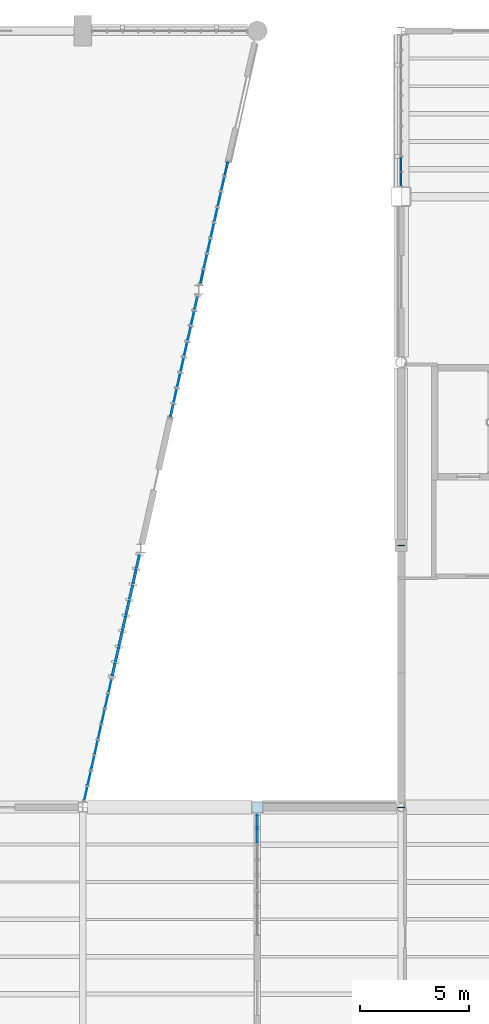
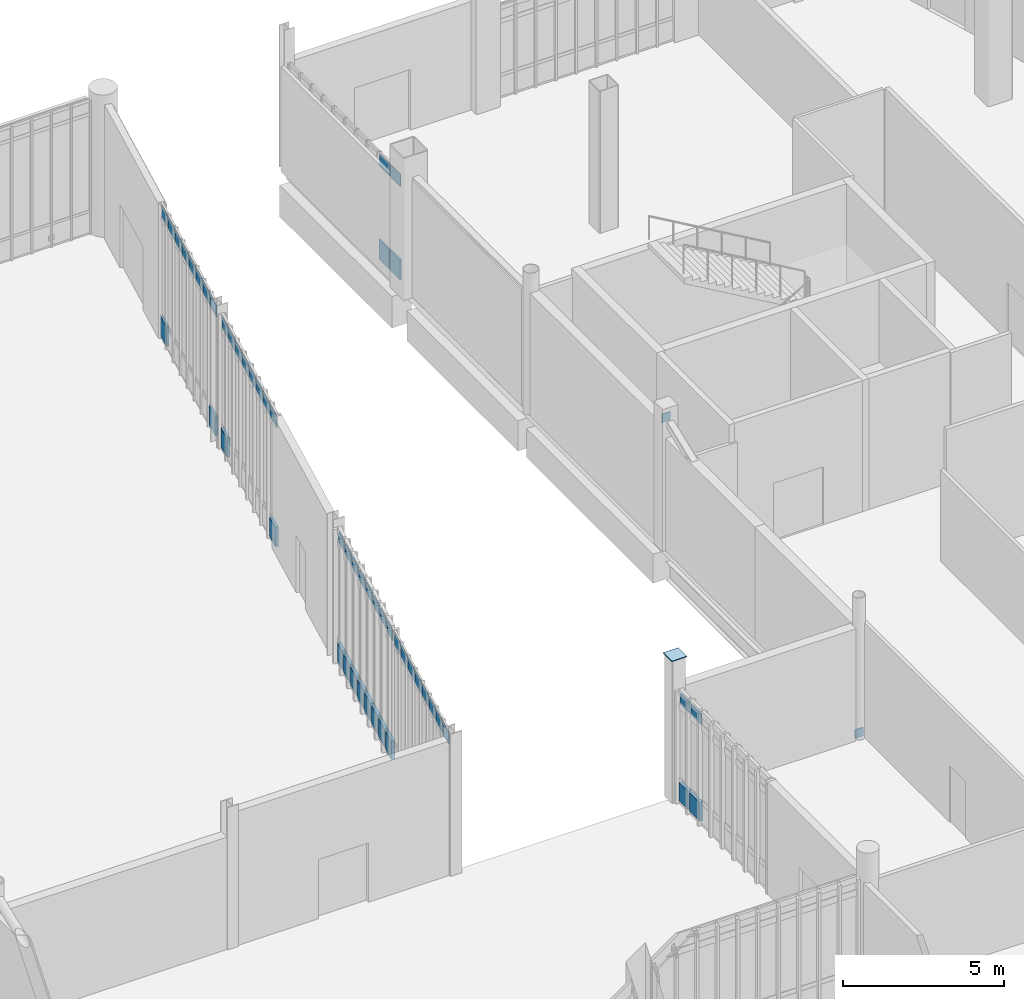
# One storey, part 80 of 111: 55 plates, 6 elements without a shape of their own.
"""IFC4 building model written with IfcOpenShell, lengths in metres."""

from ifc_helpers import new_model, si_unit, direction, frame, origin, origin_2d, place, context, subcontext, project, spatial, rectangle, extrude, material, layer, layer_set, type_object, element, aggregate, save


model = new_model("IFC4")

# Units and contexts
model_context = context("Model", 3, precision=1e-05, world=origin(), true_north=direction((0.0, 1.0)))
body_context = subcontext(model_context, "Body", "Model", "MODEL_VIEW")
ifc_project = project(units=[si_unit("LENGTHUNIT", "METRE"), si_unit("AREAUNIT", "SQUARE_METRE"), si_unit("VOLUMEUNIT", "CUBIC_METRE"), si_unit("PLANEANGLEUNIT", "RADIAN"), si_unit("MASSUNIT", "GRAM", prefix="KILO")], contexts=[model_context])

# Site, building, storey
site_placement = place(None, origin())
site = spatial("IfcSite", under=ifc_project, at=site_placement, CompositionType="ELEMENT")
building_placement = place(site_placement, origin())
building = spatial("IfcBuilding", under=site, at=building_placement, Name="Larkvane Passage Sports Hall", CompositionType="ELEMENT")
storey_placement = place(building_placement, origin())
storey = spatial("IfcBuildingStorey", under=building, at=storey_placement, Name="L00", CompositionType="ELEMENT", Elevation=0.0)

# Curtain wall, plates
ifc_material_1 = material(Name="Thermally broken aluminium and low-E glazing", Category="aluminium")
curtain_wall_type_1 = type_object("IfcCurtainWallType", Name="CW-STICK-FOYER", PredefinedType="USERDEFINED", material=ifc_material_1)
curtain_wall_1_placement = place(storey_placement, origin())
curtain_wall_1 = element("IfcCurtainWall", 1, at=curtain_wall_1_placement, inside=storey, type_object=curtain_wall_type_1, Name="Curtain wall CW5-L00-014", ObjectType="STICK CURTAIN WALL", PredefinedType="USERDEFINED")
ifc_material_2 = material(Name="Fire-stopped shadow-box spandrel panel")
ifc_layer_1 = layer(ifc_material_2, 0.10498046875)
ifc_layer_set_1 = layer_set([ifc_layer_1], Name="Fire-stopped shadow-box spandrel panel")
plate_type_1 = type_object("IfcPlateType", Name="CWP-SPD-105", PredefinedType="CURTAIN_PANEL", material=ifc_layer_set_1)
plate_1_placement = place(storey_placement, frame((115.196533203125, 86.724365234375, 0.080078125), z_axis=(0.0, 0.0, 1.0), x_axis=(-0.219244189156, -0.975670018767, 0.0)))
plate_1 = element("IfcPlate", 2, at=plate_1_placement, type_object=plate_type_1, Name="CW-03 panel 1.1", PredefinedType="CURTAIN_PANEL", context=body_context, shape_type="SweptSolid", body=[
    extrude(rectangle(XDim=0.6103515625, YDim=0.10498046875, at=origin_2d()), origin(), (0.0, 0.0, 1.0), 0.72998046875),
])
plate_2_placement = place(storey_placement, frame((114.08447265625, 81.77587890625, 0.080078125), z_axis=(0.0, 0.0, 1.0), x_axis=(-0.219244189156, -0.975670018767, 0.0)))
plate_2 = element("IfcPlate", 3, at=plate_2_placement, type_object=plate_type_1, Name="CW-03 panel 8.1", PredefinedType="CURTAIN_PANEL", context=body_context, shape_type="SweptSolid", body=[
    extrude(rectangle(XDim=0.6103515625, YDim=0.10498046875, at=origin_2d()), origin(), (0.0, 0.0, 1.0), 0.72998046875),
])

curtain_wall_type_2 = type_object("IfcCurtainWallType", Name="CW-CLINIC", PredefinedType="USERDEFINED", material=ifc_material_1)
curtain_wall_2_placement = place(storey_placement, origin())
curtain_wall_2 = element("IfcCurtainWall", 4, at=curtain_wall_2_placement, inside=storey, type_object=curtain_wall_type_2, Name="Curtain wall CW5-L00-015", ObjectType="UNITISED CURTAIN WALL", PredefinedType="USERDEFINED")
ifc_material_3 = material(Name="Deep insulated facade spandrel panel")
ifc_layer_2 = layer(ifc_material_3, 0.125)
ifc_layer_set_2 = layer_set([ifc_layer_2], Name="Deep insulated facade spandrel panel")
plate_type_2 = type_object("IfcPlateType", Name="CWP-SPD-125", PredefinedType="CURTAIN_PANEL", material=ifc_layer_set_2)
plate_3_placement = place(storey_placement, frame((112.52978515625, 74.85791015625, 0.10986328125), z_axis=(0.0, 0.0, 1.0), x_axis=(-0.219243647747, -0.975670140428, 0.0)))
plate_3 = element("IfcPlate", 5, at=plate_3_placement, type_object=plate_type_2, Name="CW-05 panel 1.1", PredefinedType="CURTAIN_PANEL", context=body_context, shape_type="SweptSolid", body=[
    extrude(rectangle(XDim=0.56591796875, YDim=0.125, at=origin_2d()), origin(), (0.0, 0.0, 1.0), 0.68505859375),
])
plate_4_placement = place(storey_placement, frame((112.37548828125, 74.17138671875, 0.10986328125), z_axis=(0.0, 0.0, 1.0), x_axis=(-0.219243647747, -0.975670140428, 0.0)))
plate_4 = element("IfcPlate", 6, at=plate_4_placement, type_object=plate_type_2, Name="CW-05 panel 2.1", PredefinedType="CURTAIN_PANEL", context=body_context, shape_type="SweptSolid", body=[
    extrude(rectangle(XDim=0.62109375, YDim=0.125, at=origin_2d()), origin(), (0.0, 0.0, 1.0), 0.68505859375),
])
plate_5_placement = place(storey_placement, frame((112.21533203125, 73.458251953125, 0.10986328125), z_axis=(0.0, 0.0, 1.0), x_axis=(-0.219243647747, -0.975670140428, 0.0)))
plate_5 = element("IfcPlate", 7, at=plate_5_placement, type_object=plate_type_2, Name="CW-05 panel 3.1", PredefinedType="CURTAIN_PANEL", context=body_context, shape_type="SweptSolid", body=[
    extrude(rectangle(XDim=0.62109375, YDim=0.125, at=origin_2d()), origin(), (0.0, 0.0, 1.0), 0.68505859375),
])
plate_6_placement = place(storey_placement, frame((112.054931640625, 72.744873046875, 0.10986328125), z_axis=(0.0, 0.0, 1.0), x_axis=(-0.219243647747, -0.975670140428, 0.0)))
plate_6 = element("IfcPlate", 8, at=plate_6_placement, type_object=plate_type_2, Name="CW-05 panel 4.1", PredefinedType="CURTAIN_PANEL", context=body_context, shape_type="SweptSolid", body=[
    extrude(rectangle(XDim=0.62109375, YDim=0.125, at=origin_2d()), origin(), (0.0, 0.0, 1.0), 0.68505859375),
])
plate_7_placement = place(storey_placement, frame((111.894775390625, 72.03173828125, 0.10986328125), z_axis=(0.0, 0.0, 1.0), x_axis=(-0.219243647747, -0.975670140428, 0.0)))
plate_7 = element("IfcPlate", 9, at=plate_7_placement, type_object=plate_type_2, Name="CW-05 panel 5.1", PredefinedType="CURTAIN_PANEL", context=body_context, shape_type="SweptSolid", body=[
    extrude(rectangle(XDim=0.62109375, YDim=0.125, at=origin_2d()), origin(), (0.0, 0.0, 1.0), 0.68505859375),
])
plate_8_placement = place(storey_placement, frame((111.734375, 71.318359375, 0.10986328125), z_axis=(0.0, 0.0, 1.0), x_axis=(-0.219243647747, -0.975670140428, 0.0)))
plate_8 = element("IfcPlate", 10, at=plate_8_placement, type_object=plate_type_2, Name="CW-05 panel 6.1", PredefinedType="CURTAIN_PANEL", context=body_context, shape_type="SweptSolid", body=[
    extrude(rectangle(XDim=0.62109375, YDim=0.125, at=origin_2d()), origin(), (0.0, 0.0, 1.0), 0.68505859375),
])
plate_9_placement = place(storey_placement, frame((111.57421875, 70.605224609375, 0.10986328125), z_axis=(0.0, 0.0, 1.0), x_axis=(-0.219243647747, -0.975670140428, 0.0)))
plate_9 = element("IfcPlate", 11, at=plate_9_placement, type_object=plate_type_2, Name="CW-05 panel 7.1", PredefinedType="CURTAIN_PANEL", context=body_context, shape_type="SweptSolid", body=[
    extrude(rectangle(XDim=0.62109375, YDim=0.125, at=origin_2d()), origin(), (0.0, 0.0, 1.0), 0.68505859375),
])
plate_10_placement = place(storey_placement, frame((111.419921875, 69.918701171875, 0.10986328125), z_axis=(0.0, 0.0, 1.0), x_axis=(-0.219243647747, -0.975670140428, 0.0)))
plate_10 = element("IfcPlate", 12, at=plate_10_placement, type_object=plate_type_2, Name="CW-05 panel 8.1", PredefinedType="CURTAIN_PANEL", context=body_context, shape_type="SweptSolid", body=[
    extrude(rectangle(XDim=0.56591796875, YDim=0.125, at=origin_2d()), origin(), (0.0, 0.0, 1.0), 0.68505859375),
])

curtain_wall_3_placement = place(storey_placement, origin())
curtain_wall_3 = element("IfcCurtainWall", 13, at=curtain_wall_3_placement, inside=storey, type_object=curtain_wall_type_2, Name="Curtain wall CW5-L00-019", ObjectType="UNITISED CURTAIN WALL", PredefinedType="USERDEFINED")
plate_11_placement = place(storey_placement, frame((118.0, 62.275146484375, 0.10009765625), z_axis=(0.0, 0.0, 1.0), x_axis=(0.0, 1.0, 0.0)))
plate_11 = element("IfcPlate", 14, at=plate_11_placement, type_object=plate_type_2, Name="CW-05 panel 7.1", PredefinedType="CURTAIN_PANEL", context=body_context, shape_type="SweptSolid", body=[
    extrude(rectangle(XDim=0.619140625, YDim=0.125, at=origin_2d()), origin(), (0.0, 0.0, 1.0), 0.699951171875),
])
plate_12_placement = place(storey_placement, frame((118.0, 62.969482421875, 0.10009765625), z_axis=(0.0, 0.0, 1.0), x_axis=(0.0, 1.0, 0.0)))
plate_12 = element("IfcPlate", 15, at=plate_12_placement, type_object=plate_type_2, Name="CW-05 panel 8.1", PredefinedType="CURTAIN_PANEL", context=body_context, shape_type="SweptSolid", body=[
    extrude(rectangle(XDim=0.5693359375, YDim=0.125, at=origin_2d()), origin(), (0.0, 0.0, 1.0), 0.699951171875),
])

curtain_wall_type_3 = type_object("IfcCurtainWallType", Name="CW-UNIT-COURT", PredefinedType="USERDEFINED", material=ifc_material_1)
curtain_wall_4_placement = place(storey_placement, origin())
curtain_wall_4 = element("IfcCurtainWall", 16, at=curtain_wall_4_placement, inside=storey, type_object=curtain_wall_type_3, Name="Curtain wall CW5-L00-020", ObjectType="UNITISED CURTAIN WALL", PredefinedType="USERDEFINED")
ifc_material_4 = material(Name="Insulated aluminium spandrel panel", Category="aluminium")
ifc_layer_3 = layer(ifc_material_4, 0.06494140625)
ifc_layer_set_3 = layer_set([ifc_layer_3], Name="Insulated aluminium spandrel panel")
plate_type_3 = type_object("IfcPlateType", Name="CWP-SPD-65", PredefinedType="CURTAIN_PANEL", material=ifc_layer_set_3)
plate_13_placement = place(storey_placement, frame((124.60009765625, 92.41015625, 0.06005859375), z_axis=(0.0, 0.0, 1.0), x_axis=(0.0, 1.0, 0.0)))
plate_13 = element("IfcPlate", 17, at=plate_13_placement, type_object=plate_type_3, Name="CW-01 panel 1.1", PredefinedType="CURTAIN_PANEL", context=body_context, shape_type="SweptSolid", body=[
    extrude(rectangle(XDim=0.6083984375, YDim=0.06494140625, at=origin_2d()), origin(), (0.0, 0.0, 1.0), 0.760009765625),
])
plate_14_placement = place(storey_placement, frame((124.60009765625, 93.093505859375, 0.06005859375), z_axis=(0.0, 0.0, 1.0), x_axis=(0.0, 1.0, 0.0)))
plate_14 = element("IfcPlate", 18, at=plate_14_placement, type_object=plate_type_3, Name="CW-01 panel 2.1", PredefinedType="CURTAIN_PANEL", context=body_context, shape_type="SweptSolid", body=[
    extrude(rectangle(XDim=0.63818359375, YDim=0.06494140625, at=origin_2d()), origin(), (0.0, 0.0, 1.0), 0.760009765625),
])

curtain_wall_type_4 = type_object("IfcCurtainWallType", Name="CW-UNIT-VEIL", PredefinedType="USERDEFINED", material=ifc_material_1)
curtain_wall_5_placement = place(storey_placement, origin())
curtain_wall_5 = element("IfcCurtainWall", 19, at=curtain_wall_5_placement, inside=storey, type_object=curtain_wall_type_4, Name="Curtain wall CW5-L00-013", ObjectType="UNITISED CURTAIN WALL", PredefinedType="USERDEFINED")
ifc_material_5 = material(Name="Mineral-wool insulated spandrel cassette")
ifc_layer_4 = layer(ifc_material_5, 0.0849609375)
ifc_layer_set_4 = layer_set([ifc_layer_4], Name="Mineral-wool insulated spandrel cassette")
plate_type_4 = type_object("IfcPlateType", Name="CWP-SPD-85", PredefinedType="CURTAIN_PANEL", material=ifc_layer_set_4)
plate_15_placement = place(storey_placement, frame((116.582275390625, 92.89111328125, 0.06982421875), z_axis=(0.0, 0.0, 1.0), x_axis=(-0.219243647747, -0.975670140428, 0.0)))
plate_15 = element("IfcPlate", 20, at=plate_15_placement, type_object=plate_type_4, Name="CW-02 panel 1.1", PredefinedType="CURTAIN_PANEL", context=body_context, shape_type="SweptSolid", body=[
    extrude(rectangle(XDim=0.6259765625, YDim=0.0849609375, at=origin_2d()), origin(), (0.0, 0.0, 1.0), 0.7451171875),
])
plate_16_placement = place(storey_placement, frame((115.468017578125, 87.932373046875, 0.06982421875), z_axis=(0.0, 0.0, 1.0), x_axis=(-0.219243647747, -0.975670140428, 0.0)))
plate_16 = element("IfcPlate", 21, at=plate_16_placement, type_object=plate_type_4, Name="CW-02 panel 8.1", PredefinedType="CURTAIN_PANEL", context=body_context, shape_type="SweptSolid", body=[
    extrude(rectangle(XDim=0.6259765625, YDim=0.0849609375, at=origin_2d()), origin(), (0.0, 0.0, 1.0), 0.7451171875),
])

curtain_wall_6_placement = place(storey_placement, origin())
curtain_wall_6 = element("IfcCurtainWall", 22, at=curtain_wall_6_placement, inside=storey, type_object=curtain_wall_type_3, Name="Curtain wall CW5-L00-016", ObjectType="UNITISED CURTAIN WALL", PredefinedType="USERDEFINED")
ifc_material_6 = material(Name="Solar-control low-E double glazing", Category="glass")
ifc_layer_5 = layer(ifc_material_6, 0.028076171875)
ifc_layer_set_5 = layer_set([ifc_layer_5], Name="Solar-control low-E double glazing")
plate_type_5 = type_object("IfcPlateType", Name="CWP-VIS-28", PredefinedType="CURTAIN_PANEL", material=ifc_layer_set_5)
plate_17_placement = place(storey_placement, frame((111.25048828125, 69.16455078125, 4.58251953125), z_axis=(0.0, 0.0, 1.0), x_axis=(-0.219261072284, -0.975666224782, 0.0)))
plate_17 = element("IfcPlate", 23, at=plate_17_placement, type_object=plate_type_5, Name="CW-01 panel 1.3", PredefinedType="CURTAIN_PANEL", context=body_context, shape_type="SweptSolid", body=[
    extrude(rectangle(XDim=0.6298828125, YDim=0.028076171875, at=origin_2d()), origin(), (0.0, 0.0, 1.0), 0.452392578125),
])
plate_18_placement = place(storey_placement, frame((111.0947265625, 68.470947265625, 4.58251953125), z_axis=(0.0, 0.0, 1.0), x_axis=(-0.219261072284, -0.975666224782, 0.0)))
plate_18 = element("IfcPlate", 24, at=plate_18_placement, type_object=plate_type_5, Name="CW-01 panel 2.3", PredefinedType="CURTAIN_PANEL", context=body_context, shape_type="SweptSolid", body=[
    extrude(rectangle(XDim=0.662353515625, YDim=0.028076171875, at=origin_2d()), origin(), (0.0, 0.0, 1.0), 0.452392578125),
])
plate_19_placement = place(storey_placement, frame((110.93505859375, 67.761474609375, 4.58251953125), z_axis=(0.0, 0.0, 1.0), x_axis=(-0.219261072284, -0.975666224782, 0.0)))
plate_19 = element("IfcPlate", 25, at=plate_19_placement, type_object=plate_type_5, Name="CW-01 panel 3.3", PredefinedType="CURTAIN_PANEL", context=body_context, shape_type="SweptSolid", body=[
    extrude(rectangle(XDim=0.662353515625, YDim=0.028076171875, at=origin_2d()), origin(), (0.0, 0.0, 1.0), 0.452392578125),
])
plate_20_placement = place(storey_placement, frame((110.775634765625, 67.0517578125, 4.58251953125), z_axis=(0.0, 0.0, 1.0), x_axis=(-0.219261072284, -0.975666224782, 0.0)))
plate_20 = element("IfcPlate", 26, at=plate_20_placement, type_object=plate_type_5, Name="CW-01 panel 4.3", PredefinedType="CURTAIN_PANEL", context=body_context, shape_type="SweptSolid", body=[
    extrude(rectangle(XDim=0.662353515625, YDim=0.028076171875, at=origin_2d()), origin(), (0.0, 0.0, 1.0), 0.452392578125),
])
plate_21_placement = place(storey_placement, frame((110.6162109375, 66.34228515625, 4.58251953125), z_axis=(0.0, 0.0, 1.0), x_axis=(-0.219261072284, -0.975666224782, 0.0)))
plate_21 = element("IfcPlate", 27, at=plate_21_placement, type_object=plate_type_5, Name="CW-01 panel 5.3", PredefinedType="CURTAIN_PANEL", context=body_context, shape_type="SweptSolid", body=[
    extrude(rectangle(XDim=0.662353515625, YDim=0.028076171875, at=origin_2d()), origin(), (0.0, 0.0, 1.0), 0.452392578125),
])
plate_22_placement = place(storey_placement, frame((110.456787109375, 65.632568359375, 4.58251953125), z_axis=(0.0, 0.0, 1.0), x_axis=(-0.219261072284, -0.975666224782, 0.0)))
plate_22 = element("IfcPlate", 28, at=plate_22_placement, type_object=plate_type_5, Name="CW-01 panel 6.3", PredefinedType="CURTAIN_PANEL", context=body_context, shape_type="SweptSolid", body=[
    extrude(rectangle(XDim=0.662353515625, YDim=0.028076171875, at=origin_2d()), origin(), (0.0, 0.0, 1.0), 0.452392578125),
])
plate_23_placement = place(storey_placement, frame((110.29736328125, 64.923095703125, 4.58251953125), z_axis=(0.0, 0.0, 1.0), x_axis=(-0.219261072284, -0.975666224782, 0.0)))
plate_23 = element("IfcPlate", 29, at=plate_23_placement, type_object=plate_type_5, Name="CW-01 panel 7.3", PredefinedType="CURTAIN_PANEL", context=body_context, shape_type="SweptSolid", body=[
    extrude(rectangle(XDim=0.662353515625, YDim=0.028076171875, at=origin_2d()), origin(), (0.0, 0.0, 1.0), 0.452392578125),
])
plate_24_placement = place(storey_placement, frame((110.141357421875, 64.229248046875, 4.58251953125), z_axis=(0.0, 0.0, 1.0), x_axis=(-0.219261072284, -0.975666224782, 0.0)))
plate_24 = element("IfcPlate", 30, at=plate_24_placement, type_object=plate_type_5, Name="CW-01 panel 8.3", PredefinedType="CURTAIN_PANEL", context=body_context, shape_type="SweptSolid", body=[
    extrude(rectangle(XDim=0.6298828125, YDim=0.028076171875, at=origin_2d()), origin(), (0.0, 0.0, 1.0), 0.452392578125),
])
aggregate(curtain_wall_6, [plate_17, plate_18, plate_19, plate_20, plate_21, plate_22, plate_23, plate_24])

# Plate
plate_25_placement = place(storey_placement, frame((124.60009765625, 92.41015625, 3.597900390625), z_axis=(0.0, 0.0, 1.0), x_axis=(0.0, 1.0, 0.0)))
plate_25 = element("IfcPlate", 31, at=plate_25_placement, type_object=plate_type_5, Name="CW-01 panel 1.3", PredefinedType="CURTAIN_PANEL", context=body_context, shape_type="SweptSolid", body=[
    extrude(rectangle(XDim=0.6083984375, YDim=0.028076171875, at=origin_2d()), origin(), (0.0, 0.0, 1.0), 0.4599609375),
])

plate_26_placement = place(storey_placement, frame((124.60009765625, 93.093505859375, 3.597900390625), z_axis=(0.0, 0.0, 1.0), x_axis=(0.0, 1.0, 0.0)))
plate_26 = element("IfcPlate", 32, at=plate_26_placement, type_object=plate_type_5, Name="CW-01 panel 2.3", PredefinedType="CURTAIN_PANEL", context=body_context, shape_type="SweptSolid", body=[
    extrude(rectangle(XDim=0.63818359375, YDim=0.028076171875, at=origin_2d()), origin(), (0.0, 0.0, 1.0), 0.4599609375),
])

aggregate(curtain_wall_4, [plate_13, plate_25, plate_14, plate_26])

ifc_material_7 = material(Name="Laminated acoustic low-E glazing", Category="glass")
ifc_layer_6 = layer(ifc_material_7, 0.031982421875)
ifc_layer_set_6 = layer_set([ifc_layer_6], Name="Laminated acoustic low-E glazing")
plate_type_6 = type_object("IfcPlateType", Name="CWP-VIS-32", PredefinedType="CURTAIN_PANEL", material=ifc_layer_set_6)
plate_27_placement = place(storey_placement, frame((116.582275390625, 92.89111328125, 4.5849609375), z_axis=(0.0, 0.0, 1.0), x_axis=(-0.219243647747, -0.975670140428, 0.0)))
plate_27 = element("IfcPlate", 33, at=plate_27_placement, type_object=plate_type_6, Name="CW-02 panel 1.3", PredefinedType="CURTAIN_PANEL", context=body_context, shape_type="SweptSolid", body=[
    extrude(rectangle(XDim=0.6259765625, YDim=0.031982421875, at=origin_2d()), origin(), (0.0, 0.0, 1.0), 0.445068359375),
])

plate_28_placement = place(storey_placement, frame((116.42578125, 92.19482421875, 4.5849609375), z_axis=(0.0, 0.0, 1.0), x_axis=(-0.219243647747, -0.975670140428, 0.0)))
plate_28 = element("IfcPlate", 34, at=plate_28_placement, type_object=plate_type_6, Name="CW-02 panel 2.3", PredefinedType="CURTAIN_PANEL", context=body_context, shape_type="SweptSolid", body=[
    extrude(rectangle(XDim=0.6611328125, YDim=0.031982421875, at=origin_2d()), origin(), (0.0, 0.0, 1.0), 0.445068359375),
])

plate_29_placement = place(storey_placement, frame((116.265625, 91.481689453125, 4.5849609375), z_axis=(0.0, 0.0, 1.0), x_axis=(-0.219243647747, -0.975670140428, 0.0)))
plate_29 = element("IfcPlate", 35, at=plate_29_placement, type_object=plate_type_6, Name="CW-02 panel 3.3", PredefinedType="CURTAIN_PANEL", context=body_context, shape_type="SweptSolid", body=[
    extrude(rectangle(XDim=0.6611328125, YDim=0.031982421875, at=origin_2d()), origin(), (0.0, 0.0, 1.0), 0.445068359375),
])

plate_30_placement = place(storey_placement, frame((116.105224609375, 90.768310546875, 4.5849609375), z_axis=(0.0, 0.0, 1.0), x_axis=(-0.219243647747, -0.975670140428, 0.0)))
plate_30 = element("IfcPlate", 36, at=plate_30_placement, type_object=plate_type_6, Name="CW-02 panel 4.3", PredefinedType="CURTAIN_PANEL", context=body_context, shape_type="SweptSolid", body=[
    extrude(rectangle(XDim=0.6611328125, YDim=0.031982421875, at=origin_2d()), origin(), (0.0, 0.0, 1.0), 0.445068359375),
])

plate_31_placement = place(storey_placement, frame((115.945068359375, 90.05517578125, 4.5849609375), z_axis=(0.0, 0.0, 1.0), x_axis=(-0.219243647747, -0.975670140428, 0.0)))
plate_31 = element("IfcPlate", 37, at=plate_31_placement, type_object=plate_type_6, Name="CW-02 panel 5.3", PredefinedType="CURTAIN_PANEL", context=body_context, shape_type="SweptSolid", body=[
    extrude(rectangle(XDim=0.6611328125, YDim=0.031982421875, at=origin_2d()), origin(), (0.0, 0.0, 1.0), 0.445068359375),
])

plate_32_placement = place(storey_placement, frame((115.78466796875, 89.341796875, 4.5849609375), z_axis=(0.0, 0.0, 1.0), x_axis=(-0.219243647747, -0.975670140428, 0.0)))
plate_32 = element("IfcPlate", 38, at=plate_32_placement, type_object=plate_type_6, Name="CW-02 panel 6.3", PredefinedType="CURTAIN_PANEL", context=body_context, shape_type="SweptSolid", body=[
    extrude(rectangle(XDim=0.6611328125, YDim=0.031982421875, at=origin_2d()), origin(), (0.0, 0.0, 1.0), 0.445068359375),
])

plate_33_placement = place(storey_placement, frame((115.62451171875, 88.628662109375, 4.5849609375), z_axis=(0.0, 0.0, 1.0), x_axis=(-0.219243647747, -0.975670140428, 0.0)))
plate_33 = element("IfcPlate", 39, at=plate_33_placement, type_object=plate_type_6, Name="CW-02 panel 7.3", PredefinedType="CURTAIN_PANEL", context=body_context, shape_type="SweptSolid", body=[
    extrude(rectangle(XDim=0.6611328125, YDim=0.031982421875, at=origin_2d()), origin(), (0.0, 0.0, 1.0), 0.445068359375),
])

plate_34_placement = place(storey_placement, frame((115.468017578125, 87.932373046875, 4.5849609375), z_axis=(0.0, 0.0, 1.0), x_axis=(-0.219243647747, -0.975670140428, 0.0)))
plate_34 = element("IfcPlate", 40, at=plate_34_placement, type_object=plate_type_6, Name="CW-02 panel 8.3", PredefinedType="CURTAIN_PANEL", context=body_context, shape_type="SweptSolid", body=[
    extrude(rectangle(XDim=0.6259765625, YDim=0.031982421875, at=origin_2d()), origin(), (0.0, 0.0, 1.0), 0.445068359375),
])

aggregate(curtain_wall_5, [plate_15, plate_27, plate_28, plate_29, plate_30, plate_31, plate_32, plate_33, plate_16, plate_34])

ifc_material_8 = material(Name="High-impact court low-E glazing", Category="glass")
ifc_layer_7 = layer(ifc_material_8, 0.035888671875)
ifc_layer_set_7 = layer_set([ifc_layer_7], Name="High-impact court low-E glazing")
plate_type_7 = type_object("IfcPlateType", Name="CWP-VIS-36", PredefinedType="CURTAIN_PANEL", material=ifc_layer_set_7)
plate_35_placement = place(storey_placement, frame((115.196533203125, 86.724365234375, 4.58984375), z_axis=(0.0, 0.0, 1.0), x_axis=(-0.219244189156, -0.975670018767, 0.0)))
plate_35 = element("IfcPlate", 41, at=plate_35_placement, type_object=plate_type_7, Name="CW-03 panel 1.3", PredefinedType="CURTAIN_PANEL", context=body_context, shape_type="SweptSolid", body=[
    extrude(rectangle(XDim=0.6103515625, YDim=0.035888671875, at=origin_2d()), origin(), (0.0, 0.0, 1.0), 0.429931640625),
])

plate_36_placement = place(storey_placement, frame((115.040771484375, 86.031494140625, 4.58984375), z_axis=(0.0, 0.0, 1.0), x_axis=(-0.219244189156, -0.975670018767, 0.0)))
plate_36 = element("IfcPlate", 42, at=plate_36_placement, type_object=plate_type_7, Name="CW-03 panel 2.3", PredefinedType="CURTAIN_PANEL", context=body_context, shape_type="SweptSolid", body=[
    extrude(rectangle(XDim=0.650390625, YDim=0.035888671875, at=origin_2d()), origin(), (0.0, 0.0, 1.0), 0.429931640625),
])

plate_37_placement = place(storey_placement, frame((114.880615234375, 85.31884765625, 4.58984375), z_axis=(0.0, 0.0, 1.0), x_axis=(-0.219244189156, -0.975670018767, 0.0)))
plate_37 = element("IfcPlate", 43, at=plate_37_placement, type_object=plate_type_7, Name="CW-03 panel 3.3", PredefinedType="CURTAIN_PANEL", context=body_context, shape_type="SweptSolid", body=[
    extrude(rectangle(XDim=0.650390625, YDim=0.035888671875, at=origin_2d()), origin(), (0.0, 0.0, 1.0), 0.429931640625),
])

plate_38_placement = place(storey_placement, frame((114.720458984375, 84.6064453125, 4.58984375), z_axis=(0.0, 0.0, 1.0), x_axis=(-0.219244189156, -0.975670018767, 0.0)))
plate_38 = element("IfcPlate", 44, at=plate_38_placement, type_object=plate_type_7, Name="CW-03 panel 4.3", PredefinedType="CURTAIN_PANEL", context=body_context, shape_type="SweptSolid", body=[
    extrude(rectangle(XDim=0.650390625, YDim=0.035888671875, at=origin_2d()), origin(), (0.0, 0.0, 1.0), 0.429931640625),
])

plate_39_placement = place(storey_placement, frame((114.560302734375, 83.893798828125, 4.58984375), z_axis=(0.0, 0.0, 1.0), x_axis=(-0.219244189156, -0.975670018767, 0.0)))
plate_39 = element("IfcPlate", 45, at=plate_39_placement, type_object=plate_type_7, Name="CW-03 panel 5.3", PredefinedType="CURTAIN_PANEL", context=body_context, shape_type="SweptSolid", body=[
    extrude(rectangle(XDim=0.650390625, YDim=0.035888671875, at=origin_2d()), origin(), (0.0, 0.0, 1.0), 0.429931640625),
])

plate_40_placement = place(storey_placement, frame((114.400390625, 83.181396484375, 4.58984375), z_axis=(0.0, 0.0, 1.0), x_axis=(-0.219244189156, -0.975670018767, 0.0)))
plate_40 = element("IfcPlate", 46, at=plate_40_placement, type_object=plate_type_7, Name="CW-03 panel 6.3", PredefinedType="CURTAIN_PANEL", context=body_context, shape_type="SweptSolid", body=[
    extrude(rectangle(XDim=0.650390625, YDim=0.035888671875, at=origin_2d()), origin(), (0.0, 0.0, 1.0), 0.429931640625),
])

plate_41_placement = place(storey_placement, frame((114.240234375, 82.46875, 4.58984375), z_axis=(0.0, 0.0, 1.0), x_axis=(-0.219244189156, -0.975670018767, 0.0)))
plate_41 = element("IfcPlate", 47, at=plate_41_placement, type_object=plate_type_7, Name="CW-03 panel 7.3", PredefinedType="CURTAIN_PANEL", context=body_context, shape_type="SweptSolid", body=[
    extrude(rectangle(XDim=0.650390625, YDim=0.035888671875, at=origin_2d()), origin(), (0.0, 0.0, 1.0), 0.429931640625),
])

plate_42_placement = place(storey_placement, frame((114.08447265625, 81.77587890625, 4.58984375), z_axis=(0.0, 0.0, 1.0), x_axis=(-0.219244189156, -0.975670018767, 0.0)))
plate_42 = element("IfcPlate", 48, at=plate_42_placement, type_object=plate_type_7, Name="CW-03 panel 8.3", PredefinedType="CURTAIN_PANEL", context=body_context, shape_type="SweptSolid", body=[
    extrude(rectangle(XDim=0.6103515625, YDim=0.035888671875, at=origin_2d()), origin(), (0.0, 0.0, 1.0), 0.429931640625),
])

aggregate(curtain_wall_1, [plate_1, plate_35, plate_36, plate_37, plate_38, plate_39, plate_40, plate_41, plate_2, plate_42])

ifc_material_9 = material(Name="Triple-laminated typhoon glazing", Category="glass")
ifc_layer_8 = layer(ifc_material_9, 0.0419921875)
ifc_layer_set_8 = layer_set([ifc_layer_8], Name="Triple-laminated typhoon glazing")
plate_type_8 = type_object("IfcPlateType", Name="CWP-VIS-42", PredefinedType="CURTAIN_PANEL", material=ifc_layer_set_8)
plate_43_placement = place(storey_placement, frame((112.52978515625, 74.85791015625, 4.60498046875), z_axis=(0.0, 0.0, 1.0), x_axis=(-0.219243647747, -0.975670140428, 0.0)))
plate_43 = element("IfcPlate", 49, at=plate_43_placement, type_object=plate_type_8, Name="CW-05 panel 1.3", PredefinedType="CURTAIN_PANEL", context=body_context, shape_type="SweptSolid", body=[
    extrude(rectangle(XDim=0.56591796875, YDim=0.0419921875, at=origin_2d()), origin(), (0.0, 0.0, 1.0), 0.385009765625),
])

plate_44_placement = place(storey_placement, frame((112.37548828125, 74.17138671875, 4.60498046875), z_axis=(0.0, 0.0, 1.0), x_axis=(-0.219243647747, -0.975670140428, 0.0)))
plate_44 = element("IfcPlate", 50, at=plate_44_placement, type_object=plate_type_8, Name="CW-05 panel 2.3", PredefinedType="CURTAIN_PANEL", context=body_context, shape_type="SweptSolid", body=[
    extrude(rectangle(XDim=0.62109375, YDim=0.0419921875, at=origin_2d()), origin(), (0.0, 0.0, 1.0), 0.385009765625),
])

plate_45_placement = place(storey_placement, frame((112.21533203125, 73.458251953125, 4.60498046875), z_axis=(0.0, 0.0, 1.0), x_axis=(-0.219243647747, -0.975670140428, 0.0)))
plate_45 = element("IfcPlate", 51, at=plate_45_placement, type_object=plate_type_8, Name="CW-05 panel 3.3", PredefinedType="CURTAIN_PANEL", context=body_context, shape_type="SweptSolid", body=[
    extrude(rectangle(XDim=0.62109375, YDim=0.0419921875, at=origin_2d()), origin(), (0.0, 0.0, 1.0), 0.385009765625),
])

plate_46_placement = place(storey_placement, frame((112.054931640625, 72.744873046875, 4.60498046875), z_axis=(0.0, 0.0, 1.0), x_axis=(-0.219243647747, -0.975670140428, 0.0)))
plate_46 = element("IfcPlate", 52, at=plate_46_placement, type_object=plate_type_8, Name="CW-05 panel 4.3", PredefinedType="CURTAIN_PANEL", context=body_context, shape_type="SweptSolid", body=[
    extrude(rectangle(XDim=0.62109375, YDim=0.0419921875, at=origin_2d()), origin(), (0.0, 0.0, 1.0), 0.385009765625),
])

plate_47_placement = place(storey_placement, frame((111.894775390625, 72.03173828125, 4.60498046875), z_axis=(0.0, 0.0, 1.0), x_axis=(-0.219243647747, -0.975670140428, 0.0)))
plate_47 = element("IfcPlate", 53, at=plate_47_placement, type_object=plate_type_8, Name="CW-05 panel 5.3", PredefinedType="CURTAIN_PANEL", context=body_context, shape_type="SweptSolid", body=[
    extrude(rectangle(XDim=0.62109375, YDim=0.0419921875, at=origin_2d()), origin(), (0.0, 0.0, 1.0), 0.385009765625),
])

plate_48_placement = place(storey_placement, frame((111.734375, 71.318359375, 4.60498046875), z_axis=(0.0, 0.0, 1.0), x_axis=(-0.219243647747, -0.975670140428, 0.0)))
plate_48 = element("IfcPlate", 54, at=plate_48_placement, type_object=plate_type_8, Name="CW-05 panel 6.3", PredefinedType="CURTAIN_PANEL", context=body_context, shape_type="SweptSolid", body=[
    extrude(rectangle(XDim=0.62109375, YDim=0.0419921875, at=origin_2d()), origin(), (0.0, 0.0, 1.0), 0.385009765625),
])

plate_49_placement = place(storey_placement, frame((111.57421875, 70.605224609375, 4.60498046875), z_axis=(0.0, 0.0, 1.0), x_axis=(-0.219243647747, -0.975670140428, 0.0)))
plate_49 = element("IfcPlate", 55, at=plate_49_placement, type_object=plate_type_8, Name="CW-05 panel 7.3", PredefinedType="CURTAIN_PANEL", context=body_context, shape_type="SweptSolid", body=[
    extrude(rectangle(XDim=0.62109375, YDim=0.0419921875, at=origin_2d()), origin(), (0.0, 0.0, 1.0), 0.385009765625),
])

plate_50_placement = place(storey_placement, frame((111.419921875, 69.918701171875, 4.60498046875), z_axis=(0.0, 0.0, 1.0), x_axis=(-0.219243647747, -0.975670140428, 0.0)))
plate_50 = element("IfcPlate", 56, at=plate_50_placement, type_object=plate_type_8, Name="CW-05 panel 8.3", PredefinedType="CURTAIN_PANEL", context=body_context, shape_type="SweptSolid", body=[
    extrude(rectangle(XDim=0.56591796875, YDim=0.0419921875, at=origin_2d()), origin(), (0.0, 0.0, 1.0), 0.385009765625),
])

aggregate(curtain_wall_2, [plate_3, plate_43, plate_4, plate_44, plate_5, plate_45, plate_6, plate_46, plate_7, plate_47, plate_8, plate_48, plate_9, plate_49, plate_10, plate_50])

plate_51_placement = place(storey_placement, frame((118.0, 62.275146484375, 3.76806640625), z_axis=(0.0, 0.0, 1.0), x_axis=(0.0, 1.0, 0.0)))
plate_51 = element("IfcPlate", 57, at=plate_51_placement, type_object=plate_type_8, Name="CW-05 panel 7.3", PredefinedType="CURTAIN_PANEL", context=body_context, shape_type="SweptSolid", body=[
    extrude(rectangle(XDim=0.619140625, YDim=0.0419921875, at=origin_2d()), origin(), (0.0, 0.0, 1.0), 0.39990234375),
])

plate_52_placement = place(storey_placement, frame((118.0, 62.969482421875, 3.76806640625), z_axis=(0.0, 0.0, 1.0), x_axis=(0.0, 1.0, 0.0)))
plate_52 = element("IfcPlate", 58, at=plate_52_placement, type_object=plate_type_8, Name="CW-05 panel 8.3", PredefinedType="CURTAIN_PANEL", context=body_context, shape_type="SweptSolid", body=[
    extrude(rectangle(XDim=0.5693359375, YDim=0.0419921875, at=origin_2d()), origin(), (0.0, 0.0, 1.0), 0.39990234375),
])

aggregate(curtain_wall_3, [plate_11, plate_51, plate_12, plate_52])

# Plates
ifc_material_10 = material(Name="Steel S355JR", Category="steel")
ifc_layer_9 = layer(ifc_material_10, 0.011962890625)
ifc_layer_set_9 = layer_set([ifc_layer_9], Name="Steel S355JR")
plate_type_9 = type_object("IfcPlateType", Name="PLT-CAP-12", PredefinedType="SHEET", material=ifc_layer_set_9)
for number, where, z_axis, x_axis, name in (
    (59, (124.60009765625, 63.594482421875, -0.01611328125), (0.0, 0.0, 1.0), (-1.0, 0.0, 0.0), "Hollow section sealed end cap plate 0587"),
    (60, (124.60009765625, 75.605712890625, 4.6884765625), (0.0, 0.0, 1.0), (-1.0, 0.0, 0.0), "Hollow section sealed end cap plate 0588"),
):
    element("IfcPlate", number, at=place(storey_placement, frame(where, z_axis=z_axis, x_axis=x_axis)), inside=storey, type_object=plate_type_9, Name=name, PredefinedType="SHEET", context=body_context, shape_type="SweptSolid", body=[
        extrude(rectangle(XDim=0.31005859375, YDim=0.028076171875, at=origin_2d()), origin(), (0.0, 0.0, 1.0), 0.327880859375),
    ])
ifc_material_11 = material(Name="Steel S460N", Category="steel")
ifc_layer_10 = layer(ifc_material_11, 0.028076171875)
ifc_layer_set_10 = layer_set([ifc_layer_10], Name="Steel S460N")
plate_type_10 = type_object("IfcPlateType", Name="PLT-CAP-28", PredefinedType="SHEET", material=ifc_layer_set_10)
plate_53_placement = place(storey_placement, frame((118.0, 63.60009765625, 5.39990234375), z_axis=(0.0, 0.0, 1.0), x_axis=(1.0, 0.0, 0.0)))
element("IfcPlate", 61, at=plate_53_placement, inside=storey, type_object=plate_type_10, Name="Hollow section sealed end cap plate 0023", PredefinedType="SHEET", context=body_context, shape_type="SweptSolid", body=[
    extrude(rectangle(XDim=0.5400390625, YDim=0.5400390625, at=origin_2d()), origin(), (0.0, 0.0, 1.0), 0.028076171875),
])

save(model, "model.ifc")
